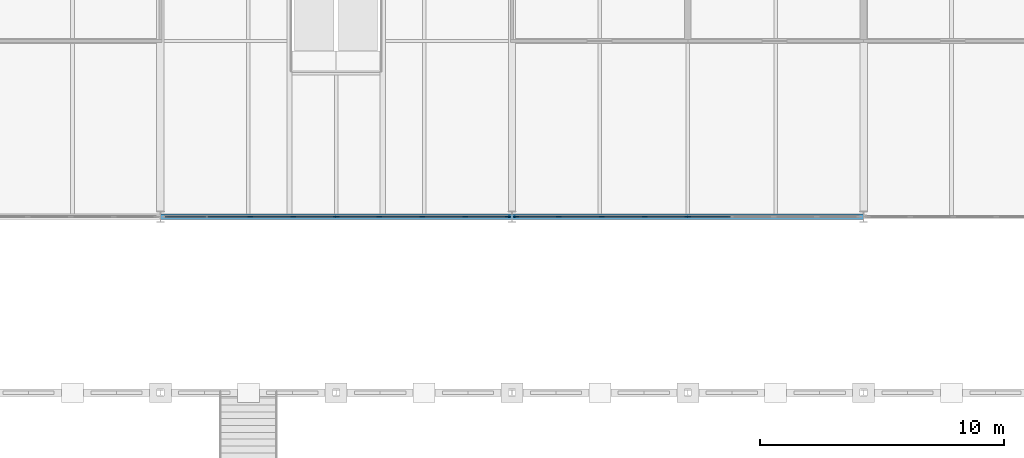
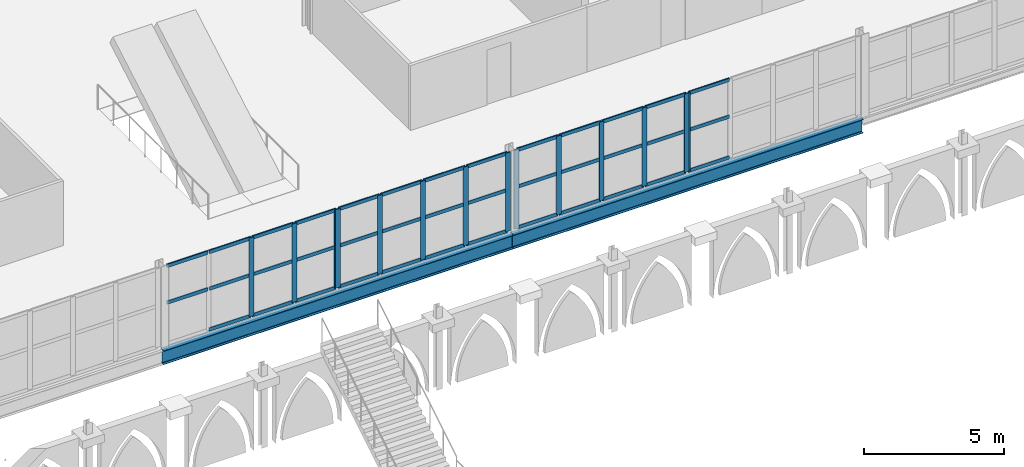
# One storey, part 28 of 90: 52 members, 2 beams, 4 elements without a shape of their own.
"""IFC4 building model written with IfcOpenShell, lengths in metres."""

import ifcopenshell
import ifcopenshell.guid

model = None  # the IFC model being written
_history = None  # IfcOwnerHistory: only IFC2X3 demands one
_inside = {}  # id of a spatial element -> (the spatial element, [elements in it])
_under = {}  # id of a project, library or spatial element -> (it, [spatial elements below it])
_declared = {}  # id of a project -> (the project, [libraries it declares])
_typed = {}  # id of a type object -> (the type object, [elements of that type])
_made_of = {}  # id of a material, layer set ... -> (it, [elements and type objects made of it])


def new_model(schema):
    """Start an empty IFC model of exactly this schema.

    Asked for "IFC4X3", IfcOpenShell would pick the latest addendum, in which some entities
    have other attributes; the version numbers below select the first issue.
    IFC2X3 requires an IfcOwnerHistory on every rooted entity: one is made here for all.
    """
    global model, _history
    if schema == "IFC4X3":
        model = ifcopenshell.file(schema_version=(4, 3, 0, 0))
    else:
        model = ifcopenshell.file(schema=schema)
    _inside.clear()
    _under.clear()
    _declared.clear()
    _typed.clear()
    _made_of.clear()
    _history = None
    if model.schema == "IFC2X3":
        org = make("IfcOrganization", Name="unknown")
        user = make(
            "IfcPersonAndOrganization",
            ThePerson=make("IfcPerson", FamilyName="unknown"),
            TheOrganization=org,
        )
        app = make(
            "IfcApplication",
            ApplicationDeveloper=org,
            Version="unknown",
            ApplicationFullName="unknown",
            ApplicationIdentifier="unknown",
        )
        _history = make(
            "IfcOwnerHistory",
            OwningUser=user,
            OwningApplication=app,
            ChangeAction="ADDED",
            CreationDate=0,
        )
    return model


def make(cls, **values):
    """One entity of the class cls with the attributes given. An attribute that is None is left unset."""
    return model.create_entity(
        cls, **{name: value for name, value in values.items() if value is not None}
    )


def rooted(cls, **values):
    """An entity with a GlobalId (a new one), such as an element, a storey or a relation."""
    return make(cls, GlobalId=ifcopenshell.guid.new(), OwnerHistory=_history, **values)


def si_unit(unit_type, name, prefix=None):
    """IfcSIUnit, for example si_unit("LENGTHUNIT", "METRE", prefix="MILLI")."""
    return make("IfcSIUnit", UnitType=unit_type, Prefix=prefix, Name=name)


def assignment(units):
    """IfcUnitAssignment: the units of a project."""
    return None if units is None else make("IfcUnitAssignment", Units=units)


def point(xyz):
    """IfcCartesianPoint."""
    return None if xyz is None else make("IfcCartesianPoint", Coordinates=xyz)


def direction(xyz):
    """IfcDirection."""
    return None if xyz is None else make("IfcDirection", DirectionRatios=xyz)


def frame(location, z_axis=None, x_axis=None):
    """IfcAxis2Placement3D, a coordinate frame: its origin and axes. An axis left out is left unset."""
    return make(
        "IfcAxis2Placement3D",
        Location=point(location),
        Axis=direction(z_axis),
        RefDirection=direction(x_axis),
    )


def frame_2d(location, x_axis=None):
    """IfcAxis2Placement2D, a coordinate frame in the plane: its origin and x axis."""
    return make(
        "IfcAxis2Placement2D", Location=point(location), RefDirection=direction(x_axis)
    )


def origin():
    """The frame at (0, 0, 0) with its axes left unset."""
    return frame((0.0, 0.0, 0.0))


def origin_2d():
    """The frame at (0, 0) in the plane with its x axis left unset."""
    return frame_2d((0.0, 0.0))


def place(relative_to, where):
    """IfcLocalPlacement: puts the frame where relative to a parent placement (None: the world)."""
    return make(
        "IfcLocalPlacement", PlacementRelTo=relative_to, RelativePlacement=where
    )


def context(
    kind, dimensions, precision=None, world=None, true_north=None, identifier=None
):
    """IfcGeometricRepresentationContext, for example the 3D "Model" context."""
    return make(
        "IfcGeometricRepresentationContext",
        ContextIdentifier=identifier,
        ContextType=kind,
        CoordinateSpaceDimension=dimensions,
        Precision=precision,
        WorldCoordinateSystem=world,
        TrueNorth=true_north,
    )


def subcontext(parent, identifier, kind, view, scale=None):
    """IfcGeometricRepresentationSubContext, for example "Body" below "Model"."""
    return make(
        "IfcGeometricRepresentationSubContext",
        ContextIdentifier=identifier,
        ContextType=kind,
        ParentContext=parent,
        TargetScale=scale,
        TargetView=view,
    )


def project(units=None, contexts=None):
    """IfcProject with its units and contexts."""
    return rooted(
        "IfcProject",
        Name="project",
        RepresentationContexts=contexts,
        UnitsInContext=assignment(units),
    )


def spatial(cls, under=None, at=None, **own):
    """A site, building, storey or space (cls), placed at a placement, below another one or the project."""
    s = rooted(cls, ObjectPlacement=at, **own)
    if under is not None:
        _under.setdefault(under.id(), (under, []))[1].append(s)
    return s


def profile(cls, at=None, kind="AREA", **sizes):
    """A parametric profile (cls). Its sizes go by their IFC names, for example OverallWidth=200.0."""
    return make(cls, ProfileType=kind, Position=at, **sizes)


def rectangle(**sizes):
    """IfcRectangleProfileDef."""
    return profile("IfcRectangleProfileDef", **sizes)


def i_section(**sizes):
    """IfcIShapeProfileDef."""
    return profile("IfcIShapeProfileDef", **sizes)


def extrude(swept, where, along, depth):
    """IfcExtrudedAreaSolid: the profile swept, set in the frame where, extruded along a direction by depth."""
    return make(
        "IfcExtrudedAreaSolid",
        SweptArea=swept,
        Position=where,
        ExtrudedDirection=direction(along),
        Depth=depth,
    )


def shape(context_of_items, identifier, shape_type, items):
    """IfcShapeRepresentation: the items that make up one representation, for example the "Body"."""
    return make(
        "IfcShapeRepresentation",
        ContextOfItems=context_of_items,
        RepresentationIdentifier=identifier,
        RepresentationType=shape_type,
        Items=items,
    )


def material(Name=None, Category=None):
    """IfcMaterial."""
    return make("IfcMaterial", Name=Name, Category=Category)


def material_profile(
    of_material, cross_section, Name=None, Category=None, Priority=None
):
    """IfcMaterialProfile: a cross section and its material."""
    return make(
        "IfcMaterialProfile",
        Name=Name,
        Material=of_material,
        Profile=cross_section,
        Priority=Priority,
        Category=Category,
    )


def profile_set(profiles, Name=None, composite=None):
    """IfcMaterialProfileSet."""
    return make(
        "IfcMaterialProfileSet",
        Name=Name,
        MaterialProfiles=profiles,
        CompositeProfile=composite,
    )


def made_of(thing, what):
    """Note that an element or type object is made of a material, layer set ...; save() writes the relation."""
    if what is not None:
        _made_of.setdefault(what.id(), (what, []))[1].append(thing)
    return thing


def type_object(cls, material=None, **own):
    """A type object (cls), such as IfcWallType, which elements share."""
    return made_of(rooted(cls, **own), material)


def element(
    cls,
    number,
    at=None,
    inside=None,
    cuts=None,
    type_object=None,
    material=None,
    context=None,
    identifier="Body",
    shape_type=None,
    held_by="IfcProductDefinitionShape",
    body=None,
    shapes=None,
    **own,
):
    """One element of the class cls, such as IfcWall. Its Tag is "e" and its number.

    at: its placement. inside: the storey or other place that contains it. cuts: it is an
    opening in that element (IfcRelVoidsElement). A single representation is given by context,
    identifier, shape_type and body (its items); several are given by shapes. held_by: the class
    of the entity that holds the representations. save() writes the other relations.
    """
    e = rooted(cls, Tag="e%d" % number, ObjectPlacement=at, **own)
    if body is not None:
        shapes = [shape(context, identifier, shape_type, body)]
    if shapes is not None:
        e.Representation = make(held_by, Representations=shapes)
    if inside is not None:
        _inside.setdefault(inside.id(), (inside, []))[1].append(e)
    if cuts is not None:
        rooted(
            "IfcRelVoidsElement", RelatingBuildingElement=cuts, RelatedOpeningElement=e
        )
    if type_object is not None:
        _typed.setdefault(type_object.id(), (type_object, []))[1].append(e)
    return made_of(e, material)


def aggregate(whole, parts):
    """IfcRelAggregates: a whole, such as a stair, and the parts it consists of."""
    return rooted("IfcRelAggregates", RelatingObject=whole, RelatedObjects=parts)


def save(model, path):
    """Write the relations noted so far, then the file.

    IfcRelAggregates (storeys below a building ...), IfcRelContainedInSpatialStructure (elements
    in a storey), IfcRelDefinesByType, IfcRelAssociatesMaterial and IfcRelDeclares: one each for
    every whole, place, type object, material and project.
    """
    for whole, parts in _under.values():
        aggregate(whole, parts)
    for where, things in _inside.values():
        rooted(
            "IfcRelContainedInSpatialStructure",
            RelatedElements=things,
            RelatingStructure=where,
        )
    for kind, things in _typed.values():
        rooted("IfcRelDefinesByType", RelatedObjects=things, RelatingType=kind)
    for what, things in _made_of.values():
        rooted("IfcRelAssociatesMaterial", RelatedObjects=things, RelatingMaterial=what)
    for by, libraries in _declared.values():
        rooted("IfcRelDeclares", RelatingContext=by, RelatedDefinitions=libraries)
    model.write(path)


model = new_model("IFC4")

# Units and contexts
model_context = context("Model", 3, precision=1e-05, world=origin(), true_north=direction((0.0, 1.0)))
body_context = subcontext(model_context, "Body", "Model", "MODEL_VIEW")
ifc_project = project(units=[si_unit("LENGTHUNIT", "METRE"), si_unit("AREAUNIT", "SQUARE_METRE"), si_unit("VOLUMEUNIT", "CUBIC_METRE"), si_unit("PLANEANGLEUNIT", "RADIAN"), si_unit("MASSUNIT", "GRAM", prefix="KILO")], contexts=[model_context])

# Site, building, storey
site_placement = place(None, origin())
site = spatial("IfcSite", under=ifc_project, at=site_placement, CompositionType="ELEMENT")
building_placement = place(site_placement, origin())
building = spatial("IfcBuilding", under=site, at=building_placement, Name="Kupolbacken Congress Centre", CompositionType="ELEMENT")
storey_placement = place(building_placement, frame((0.0, 0.0, 3.60009765625)))
storey = spatial("IfcBuildingStorey", under=building, at=storey_placement, Name="L01", CompositionType="ELEMENT", Elevation=3.60009765625)

# Beams
ifc_material_1 = material(Name="Steel S355", Category="steel")
ifc_material_profile_1 = material_profile(ifc_material_1, i_section(OverallWidth=0.219970703125, OverallDepth=0.60009765625, WebThickness=0.011962890625, FlangeThickness=0.01904296875, FilletRadius=0.02392578125, at=origin_2d()), Name="IPE 600")
ifc_profile_set_1 = profile_set([ifc_material_profile_1], Name="Steel S355")
beam_type = type_object("IfcBeamType", Name="B11 beam IPE 600", PredefinedType="BEAM", material=ifc_profile_set_1)
for number, where, z_axis, x_axis, name in (
    (1, (36.007080078125, 28.800048828125, -0.47998046875), (1.0, 0.0, 0.0), (0.0, 1.0, 0.0), "S/floor/F/L01/R017"),
    (2, (50.406982421875, 28.800048828125, -0.47998046875), (1.0, 0.0, 0.0), (0.0, 1.0, 0.0), "S/floor/F/L01/R018"),
):
    element("IfcBeam", number, at=place(storey_placement, frame(where, z_axis=z_axis, x_axis=x_axis)), inside=storey, type_object=beam_type, Name=name, PredefinedType="BEAM", context=body_context, shape_type="SweptSolid", body=[
        extrude(i_section(OverallWidth=0.219970703125, OverallDepth=0.60009765625, WebThickness=0.011962890625, FlangeThickness=0.01904296875, FilletRadius=0.02392578125, at=origin_2d()), origin(), (0.0, 0.0, 1.0), 14.385986328125),
    ])

# Curtain wall, members
ifc_material_2 = material(Name="Aluminium mullion-transom frame with glass", Category="aluminium")
curtain_wall_type = type_object("IfcCurtainWallType", Name="CW1 curtain wall 7200x3600", PredefinedType="NOTDEFINED", material=ifc_material_2)
curtain_wall_1_placement = place(storey_placement, origin())
curtain_wall_1 = element("IfcCurtainWall", 3, at=curtain_wall_1_placement, inside=storey, type_object=curtain_wall_type, Name="E/F/S/L01/140", PredefinedType="NOTDEFINED")
ifc_material_3 = material(Name="Aluminium alloy", Category="aluminium")
ifc_material_profile_2 = material_profile(ifc_material_3, rectangle(XDim=0.050048828125, YDim=0.199951171875, at=origin_2d()), Name="50 x 200")
ifc_profile_set_2 = profile_set([ifc_material_profile_2], Name="Aluminium alloy")
member_type_1 = type_object("IfcMemberType", Name="MU2 mullion 50x200", PredefinedType="MULLION", material=ifc_profile_set_2)
member_1_placement = place(storey_placement, frame((39.675048828125, 28.800048828125, 0.0), z_axis=(0.0, 0.0, 1.0), x_axis=(0.0, 1.0, 0.0)))
member_1 = element("IfcMember", 4, at=member_1_placement, type_object=member_type_1, Name="CW1 mullion 3", PredefinedType="MULLION", context=body_context, shape_type="SweptSolid", body=[
    extrude(rectangle(XDim=0.050048828125, YDim=0.199951171875, at=origin_2d()), origin(), (0.0, 0.0, 1.0), 3.419921875),
])
member_2_placement = place(storey_placement, frame((41.4375, 28.800048828125, 0.0), z_axis=(0.0, 0.0, 1.0), x_axis=(0.0, 1.0, 0.0)))
member_2 = element("IfcMember", 5, at=member_2_placement, type_object=member_type_1, Name="CW1 mullion 4", PredefinedType="MULLION", context=body_context, shape_type="SweptSolid", body=[
    extrude(rectangle(XDim=0.050048828125, YDim=0.199951171875, at=origin_2d()), origin(), (0.0, 0.0, 1.0), 3.419921875),
])
member_3_placement = place(storey_placement, frame((43.175048828125, 28.800048828125, 0.0), z_axis=(0.0, 0.0, 1.0), x_axis=(0.0, 1.0, 0.0)))
member_3 = element("IfcMember", 6, at=member_3_placement, type_object=member_type_1, Name="CW1 mullion 5", PredefinedType="MULLION", context=body_context, shape_type="SweptSolid", body=[
    extrude(rectangle(XDim=0.050048828125, YDim=0.199951171875, at=origin_2d()), origin(), (0.0, 0.0, 1.0), 3.419921875),
])

curtain_wall_2_placement = place(storey_placement, origin())
curtain_wall_2 = element("IfcCurtainWall", 7, at=curtain_wall_2_placement, inside=storey, type_object=curtain_wall_type, Name="E/F/S/L01/141", PredefinedType="NOTDEFINED")
member_4_placement = place(storey_placement, frame((43.22509765625, 28.800048828125, 0.0), z_axis=(0.0, 0.0, 1.0), x_axis=(0.0, 1.0, 0.0)))
member_4 = element("IfcMember", 8, at=member_4_placement, type_object=member_type_1, Name="CW1 mullion 1", PredefinedType="MULLION", context=body_context, shape_type="SweptSolid", body=[
    extrude(rectangle(XDim=0.050048828125, YDim=0.199951171875, at=origin_2d()), origin(), (0.0, 0.0, 1.0), 3.419921875),
])
member_5_placement = place(storey_placement, frame((44.96240234375, 28.800048828125, 0.0), z_axis=(0.0, 0.0, 1.0), x_axis=(0.0, 1.0, 0.0)))
member_5 = element("IfcMember", 9, at=member_5_placement, type_object=member_type_1, Name="CW1 mullion 2", PredefinedType="MULLION", context=body_context, shape_type="SweptSolid", body=[
    extrude(rectangle(XDim=0.050048828125, YDim=0.199951171875, at=origin_2d()), origin(), (0.0, 0.0, 1.0), 3.419921875),
])
member_6_placement = place(storey_placement, frame((46.72509765625, 28.800048828125, 0.0), z_axis=(0.0, 0.0, 1.0), x_axis=(0.0, 1.0, 0.0)))
member_6 = element("IfcMember", 10, at=member_6_placement, type_object=member_type_1, Name="CW1 mullion 3", PredefinedType="MULLION", context=body_context, shape_type="SweptSolid", body=[
    extrude(rectangle(XDim=0.050048828125, YDim=0.199951171875, at=origin_2d()), origin(), (0.0, 0.0, 1.0), 3.419921875),
])
member_7_placement = place(storey_placement, frame((48.487548828125, 28.800048828125, 0.0), z_axis=(0.0, 0.0, 1.0), x_axis=(0.0, 1.0, 0.0)))
member_7 = element("IfcMember", 11, at=member_7_placement, type_object=member_type_1, Name="CW1 mullion 4", PredefinedType="MULLION", context=body_context, shape_type="SweptSolid", body=[
    extrude(rectangle(XDim=0.050048828125, YDim=0.199951171875, at=origin_2d()), origin(), (0.0, 0.0, 1.0), 3.419921875),
])
member_8_placement = place(storey_placement, frame((50.22509765625, 28.800048828125, 0.0), z_axis=(0.0, 0.0, 1.0), x_axis=(0.0, 1.0, 0.0)))
member_8 = element("IfcMember", 12, at=member_8_placement, type_object=member_type_1, Name="CW1 mullion 5", PredefinedType="MULLION", context=body_context, shape_type="SweptSolid", body=[
    extrude(rectangle(XDim=0.050048828125, YDim=0.199951171875, at=origin_2d()), origin(), (0.0, 0.0, 1.0), 3.419921875),
])

curtain_wall_3_placement = place(storey_placement, origin())
curtain_wall_3 = element("IfcCurtainWall", 13, at=curtain_wall_3_placement, inside=storey, type_object=curtain_wall_type, Name="E/F/S/L01/142", PredefinedType="NOTDEFINED")
member_9_placement = place(storey_placement, frame((50.574951171875, 28.800048828125, 0.0), z_axis=(0.0, 0.0, 1.0), x_axis=(0.0, 1.0, 0.0)))
member_9 = element("IfcMember", 14, at=member_9_placement, type_object=member_type_1, Name="CW1 mullion 1", PredefinedType="MULLION", context=body_context, shape_type="SweptSolid", body=[
    extrude(rectangle(XDim=0.050048828125, YDim=0.199951171875, at=origin_2d()), origin(), (0.0, 0.0, 1.0), 3.419921875),
])
member_10_placement = place(storey_placement, frame((52.3125, 28.800048828125, 0.0), z_axis=(0.0, 0.0, 1.0), x_axis=(0.0, 1.0, 0.0)))
member_10 = element("IfcMember", 15, at=member_10_placement, type_object=member_type_1, Name="CW1 mullion 2", PredefinedType="MULLION", context=body_context, shape_type="SweptSolid", body=[
    extrude(rectangle(XDim=0.050048828125, YDim=0.199951171875, at=origin_2d()), origin(), (0.0, 0.0, 1.0), 3.419921875),
])
member_11_placement = place(storey_placement, frame((54.074951171875, 28.800048828125, 0.0), z_axis=(0.0, 0.0, 1.0), x_axis=(0.0, 1.0, 0.0)))
member_11 = element("IfcMember", 16, at=member_11_placement, type_object=member_type_1, Name="CW1 mullion 3", PredefinedType="MULLION", context=body_context, shape_type="SweptSolid", body=[
    extrude(rectangle(XDim=0.050048828125, YDim=0.199951171875, at=origin_2d()), origin(), (0.0, 0.0, 1.0), 3.419921875),
])
member_12_placement = place(storey_placement, frame((55.83740234375, 28.800048828125, 0.0), z_axis=(0.0, 0.0, 1.0), x_axis=(0.0, 1.0, 0.0)))
member_12 = element("IfcMember", 17, at=member_12_placement, type_object=member_type_1, Name="CW1 mullion 4", PredefinedType="MULLION", context=body_context, shape_type="SweptSolid", body=[
    extrude(rectangle(XDim=0.050048828125, YDim=0.199951171875, at=origin_2d()), origin(), (0.0, 0.0, 1.0), 3.419921875),
])
member_13_placement = place(storey_placement, frame((57.574951171875, 28.800048828125, 0.0), z_axis=(0.0, 0.0, 1.0), x_axis=(0.0, 1.0, 0.0)))
member_13 = element("IfcMember", 18, at=member_13_placement, type_object=member_type_1, Name="CW1 mullion 5", PredefinedType="MULLION", context=body_context, shape_type="SweptSolid", body=[
    extrude(rectangle(XDim=0.050048828125, YDim=0.199951171875, at=origin_2d()), origin(), (0.0, 0.0, 1.0), 3.419921875),
])

# Curtain wall, member
curtain_wall_4_placement = place(storey_placement, origin())
curtain_wall_4 = element("IfcCurtainWall", 19, at=curtain_wall_4_placement, inside=storey, type_object=curtain_wall_type, Name="E/F/S/L01/143", PredefinedType="NOTDEFINED")
member_14_placement = place(storey_placement, frame((57.625, 28.800048828125, 0.0), z_axis=(0.0, 0.0, 1.0), x_axis=(0.0, 1.0, 0.0)))
member_14 = element("IfcMember", 20, at=member_14_placement, type_object=member_type_1, Name="CW1 mullion 1", PredefinedType="MULLION", context=body_context, shape_type="SweptSolid", body=[
    extrude(rectangle(XDim=0.050048828125, YDim=0.199951171875, at=origin_2d()), origin(), (0.0, 0.0, 1.0), 3.419921875),
])

# Member
ifc_material_4 = material(Name="Aluminium alloy", Category="aluminium")
ifc_material_profile_3 = material_profile(ifc_material_4, rectangle(XDim=0.050048828125, YDim=0.14990234375, at=origin_2d()), Name="50 x 150")
ifc_profile_set_3 = profile_set([ifc_material_profile_3], Name="Aluminium alloy")
member_type_2 = type_object("IfcMemberType", Name="TR2 transom 50x150", PredefinedType="MULLION", material=ifc_profile_set_3)
member_15_placement = place(storey_placement, frame((36.199951171875, 28.800048828125, 1.7998046875), z_axis=(1.0, 0.0, 0.0), x_axis=(0.0, 1.0, 0.0)))
member_15 = element("IfcMember", 21, at=member_15_placement, type_object=member_type_2, Name="CW1 transom 1.2", PredefinedType="MULLION", context=body_context, shape_type="SweptSolid", body=[
    extrude(rectangle(XDim=0.050048828125, YDim=0.14990234375, at=origin_2d()), origin(), (0.0, 0.0, 1.0), 1.6875),
])

member_16_placement = place(storey_placement, frame((36.199951171875, 28.800048828125, 3.39501953125), z_axis=(1.0, 0.0, 0.0), x_axis=(0.0, 1.0, 0.0)))
member_16 = element("IfcMember", 22, at=member_16_placement, type_object=member_type_2, Name="CW1 transom 1.3", PredefinedType="MULLION", context=body_context, shape_type="SweptSolid", body=[
    extrude(rectangle(XDim=0.050048828125, YDim=0.14990234375, at=origin_2d()), origin(), (0.0, 0.0, 1.0), 1.6875),
])

member_17_placement = place(storey_placement, frame((37.9375, 28.800048828125, 0.02490234375), z_axis=(1.0, 0.0, 0.0), x_axis=(0.0, 1.0, 0.0)))
member_17 = element("IfcMember", 23, at=member_17_placement, type_object=member_type_2, Name="CW1 transom 2.1", PredefinedType="MULLION", context=body_context, shape_type="SweptSolid", body=[
    extrude(rectangle(XDim=0.050048828125, YDim=0.14990234375, at=origin_2d()), origin(), (0.0, 0.0, 1.0), 1.71240234375),
])

member_18_placement = place(storey_placement, frame((37.9375, 28.800048828125, 1.7998046875), z_axis=(1.0, 0.0, 0.0), x_axis=(0.0, 1.0, 0.0)))
member_18 = element("IfcMember", 24, at=member_18_placement, type_object=member_type_2, Name="CW1 transom 2.2", PredefinedType="MULLION", context=body_context, shape_type="SweptSolid", body=[
    extrude(rectangle(XDim=0.050048828125, YDim=0.14990234375, at=origin_2d()), origin(), (0.0, 0.0, 1.0), 1.71240234375),
])

member_19_placement = place(storey_placement, frame((37.9375, 28.800048828125, 3.39501953125), z_axis=(1.0, 0.0, 0.0), x_axis=(0.0, 1.0, 0.0)))
member_19 = element("IfcMember", 25, at=member_19_placement, type_object=member_type_2, Name="CW1 transom 2.3", PredefinedType="MULLION", context=body_context, shape_type="SweptSolid", body=[
    extrude(rectangle(XDim=0.050048828125, YDim=0.14990234375, at=origin_2d()), origin(), (0.0, 0.0, 1.0), 1.71240234375),
])

member_20_placement = place(storey_placement, frame((39.699951171875, 28.800048828125, 0.02490234375), z_axis=(1.0, 0.0, 0.0), x_axis=(0.0, 1.0, 0.0)))
member_20 = element("IfcMember", 26, at=member_20_placement, type_object=member_type_2, Name="CW1 transom 3.1", PredefinedType="MULLION", context=body_context, shape_type="SweptSolid", body=[
    extrude(rectangle(XDim=0.050048828125, YDim=0.14990234375, at=origin_2d()), origin(), (0.0, 0.0, 1.0), 1.712646484375),
])

member_21_placement = place(storey_placement, frame((39.699951171875, 28.800048828125, 1.7998046875), z_axis=(1.0, 0.0, 0.0), x_axis=(0.0, 1.0, 0.0)))
member_21 = element("IfcMember", 27, at=member_21_placement, type_object=member_type_2, Name="CW1 transom 3.2", PredefinedType="MULLION", context=body_context, shape_type="SweptSolid", body=[
    extrude(rectangle(XDim=0.050048828125, YDim=0.14990234375, at=origin_2d()), origin(), (0.0, 0.0, 1.0), 1.712646484375),
])

member_22_placement = place(storey_placement, frame((39.699951171875, 28.800048828125, 3.39501953125), z_axis=(1.0, 0.0, 0.0), x_axis=(0.0, 1.0, 0.0)))
member_22 = element("IfcMember", 28, at=member_22_placement, type_object=member_type_2, Name="CW1 transom 3.3", PredefinedType="MULLION", context=body_context, shape_type="SweptSolid", body=[
    extrude(rectangle(XDim=0.050048828125, YDim=0.14990234375, at=origin_2d()), origin(), (0.0, 0.0, 1.0), 1.712646484375),
])

member_23_placement = place(storey_placement, frame((41.46240234375, 28.800048828125, 0.02490234375), z_axis=(1.0, 0.0, 0.0), x_axis=(0.0, 1.0, 0.0)))
member_23 = element("IfcMember", 29, at=member_23_placement, type_object=member_type_2, Name="CW1 transom 4.1", PredefinedType="MULLION", context=body_context, shape_type="SweptSolid", body=[
    extrude(rectangle(XDim=0.050048828125, YDim=0.14990234375, at=origin_2d()), origin(), (0.0, 0.0, 1.0), 1.6875),
])

member_24_placement = place(storey_placement, frame((41.46240234375, 28.800048828125, 1.7998046875), z_axis=(1.0, 0.0, 0.0), x_axis=(0.0, 1.0, 0.0)))
member_24 = element("IfcMember", 30, at=member_24_placement, type_object=member_type_2, Name="CW1 transom 4.2", PredefinedType="MULLION", context=body_context, shape_type="SweptSolid", body=[
    extrude(rectangle(XDim=0.050048828125, YDim=0.14990234375, at=origin_2d()), origin(), (0.0, 0.0, 1.0), 1.6875),
])

member_25_placement = place(storey_placement, frame((41.46240234375, 28.800048828125, 3.39501953125), z_axis=(1.0, 0.0, 0.0), x_axis=(0.0, 1.0, 0.0)))
member_25 = element("IfcMember", 31, at=member_25_placement, type_object=member_type_2, Name="CW1 transom 4.3", PredefinedType="MULLION", context=body_context, shape_type="SweptSolid", body=[
    extrude(rectangle(XDim=0.050048828125, YDim=0.14990234375, at=origin_2d()), origin(), (0.0, 0.0, 1.0), 1.6875),
])

aggregate(curtain_wall_1, [member_1, member_2, member_3, member_15, member_16, member_17, member_18, member_19, member_20, member_21, member_22, member_23, member_24, member_25])

member_26_placement = place(storey_placement, frame((43.25, 28.800048828125, 0.02490234375), z_axis=(1.0, 0.0, 0.0), x_axis=(0.0, 1.0, 0.0)))
member_26 = element("IfcMember", 32, at=member_26_placement, type_object=member_type_2, Name="CW1 transom 1.1", PredefinedType="MULLION", context=body_context, shape_type="SweptSolid", body=[
    extrude(rectangle(XDim=0.050048828125, YDim=0.14990234375, at=origin_2d()), origin(), (0.0, 0.0, 1.0), 1.6875),
])

member_27_placement = place(storey_placement, frame((43.25, 28.800048828125, 1.7998046875), z_axis=(1.0, 0.0, 0.0), x_axis=(0.0, 1.0, 0.0)))
member_27 = element("IfcMember", 33, at=member_27_placement, type_object=member_type_2, Name="CW1 transom 1.2", PredefinedType="MULLION", context=body_context, shape_type="SweptSolid", body=[
    extrude(rectangle(XDim=0.050048828125, YDim=0.14990234375, at=origin_2d()), origin(), (0.0, 0.0, 1.0), 1.6875),
])

member_28_placement = place(storey_placement, frame((43.25, 28.800048828125, 3.39501953125), z_axis=(1.0, 0.0, 0.0), x_axis=(0.0, 1.0, 0.0)))
member_28 = element("IfcMember", 34, at=member_28_placement, type_object=member_type_2, Name="CW1 transom 1.3", PredefinedType="MULLION", context=body_context, shape_type="SweptSolid", body=[
    extrude(rectangle(XDim=0.050048828125, YDim=0.14990234375, at=origin_2d()), origin(), (0.0, 0.0, 1.0), 1.6875),
])

member_29_placement = place(storey_placement, frame((44.987548828125, 28.800048828125, 0.02490234375), z_axis=(1.0, 0.0, 0.0), x_axis=(0.0, 1.0, 0.0)))
member_29 = element("IfcMember", 35, at=member_29_placement, type_object=member_type_2, Name="CW1 transom 2.1", PredefinedType="MULLION", context=body_context, shape_type="SweptSolid", body=[
    extrude(rectangle(XDim=0.050048828125, YDim=0.14990234375, at=origin_2d()), origin(), (0.0, 0.0, 1.0), 1.71240234375),
])

member_30_placement = place(storey_placement, frame((44.987548828125, 28.800048828125, 1.7998046875), z_axis=(1.0, 0.0, 0.0), x_axis=(0.0, 1.0, 0.0)))
member_30 = element("IfcMember", 36, at=member_30_placement, type_object=member_type_2, Name="CW1 transom 2.2", PredefinedType="MULLION", context=body_context, shape_type="SweptSolid", body=[
    extrude(rectangle(XDim=0.050048828125, YDim=0.14990234375, at=origin_2d()), origin(), (0.0, 0.0, 1.0), 1.71240234375),
])

member_31_placement = place(storey_placement, frame((44.987548828125, 28.800048828125, 3.39501953125), z_axis=(1.0, 0.0, 0.0), x_axis=(0.0, 1.0, 0.0)))
member_31 = element("IfcMember", 37, at=member_31_placement, type_object=member_type_2, Name="CW1 transom 2.3", PredefinedType="MULLION", context=body_context, shape_type="SweptSolid", body=[
    extrude(rectangle(XDim=0.050048828125, YDim=0.14990234375, at=origin_2d()), origin(), (0.0, 0.0, 1.0), 1.71240234375),
])

member_32_placement = place(storey_placement, frame((46.75, 28.800048828125, 0.02490234375), z_axis=(1.0, 0.0, 0.0), x_axis=(0.0, 1.0, 0.0)))
member_32 = element("IfcMember", 38, at=member_32_placement, type_object=member_type_2, Name="CW1 transom 3.1", PredefinedType="MULLION", context=body_context, shape_type="SweptSolid", body=[
    extrude(rectangle(XDim=0.050048828125, YDim=0.14990234375, at=origin_2d()), origin(), (0.0, 0.0, 1.0), 1.71240234375),
])

member_33_placement = place(storey_placement, frame((46.75, 28.800048828125, 1.7998046875), z_axis=(1.0, 0.0, 0.0), x_axis=(0.0, 1.0, 0.0)))
member_33 = element("IfcMember", 39, at=member_33_placement, type_object=member_type_2, Name="CW1 transom 3.2", PredefinedType="MULLION", context=body_context, shape_type="SweptSolid", body=[
    extrude(rectangle(XDim=0.050048828125, YDim=0.14990234375, at=origin_2d()), origin(), (0.0, 0.0, 1.0), 1.71240234375),
])

member_34_placement = place(storey_placement, frame((46.75, 28.800048828125, 3.39501953125), z_axis=(1.0, 0.0, 0.0), x_axis=(0.0, 1.0, 0.0)))
member_34 = element("IfcMember", 40, at=member_34_placement, type_object=member_type_2, Name="CW1 transom 3.3", PredefinedType="MULLION", context=body_context, shape_type="SweptSolid", body=[
    extrude(rectangle(XDim=0.050048828125, YDim=0.14990234375, at=origin_2d()), origin(), (0.0, 0.0, 1.0), 1.71240234375),
])

member_35_placement = place(storey_placement, frame((48.512451171875, 28.800048828125, 0.02490234375), z_axis=(1.0, 0.0, 0.0), x_axis=(0.0, 1.0, 0.0)))
member_35 = element("IfcMember", 41, at=member_35_placement, type_object=member_type_2, Name="CW1 transom 4.1", PredefinedType="MULLION", context=body_context, shape_type="SweptSolid", body=[
    extrude(rectangle(XDim=0.050048828125, YDim=0.14990234375, at=origin_2d()), origin(), (0.0, 0.0, 1.0), 1.6875),
])

member_36_placement = place(storey_placement, frame((48.512451171875, 28.800048828125, 1.7998046875), z_axis=(1.0, 0.0, 0.0), x_axis=(0.0, 1.0, 0.0)))
member_36 = element("IfcMember", 42, at=member_36_placement, type_object=member_type_2, Name="CW1 transom 4.2", PredefinedType="MULLION", context=body_context, shape_type="SweptSolid", body=[
    extrude(rectangle(XDim=0.050048828125, YDim=0.14990234375, at=origin_2d()), origin(), (0.0, 0.0, 1.0), 1.6875),
])

member_37_placement = place(storey_placement, frame((48.512451171875, 28.800048828125, 3.39501953125), z_axis=(1.0, 0.0, 0.0), x_axis=(0.0, 1.0, 0.0)))
member_37 = element("IfcMember", 43, at=member_37_placement, type_object=member_type_2, Name="CW1 transom 4.3", PredefinedType="MULLION", context=body_context, shape_type="SweptSolid", body=[
    extrude(rectangle(XDim=0.050048828125, YDim=0.14990234375, at=origin_2d()), origin(), (0.0, 0.0, 1.0), 1.6875),
])

aggregate(curtain_wall_2, [member_4, member_5, member_6, member_7, member_8, member_26, member_27, member_28, member_29, member_30, member_31, member_32, member_33, member_34, member_35, member_36, member_37])

member_38_placement = place(storey_placement, frame((50.60009765625, 28.800048828125, 0.02490234375), z_axis=(1.0, 0.0, 0.0), x_axis=(0.0, 1.0, 0.0)))
member_38 = element("IfcMember", 44, at=member_38_placement, type_object=member_type_2, Name="CW1 transom 1.1", PredefinedType="MULLION", context=body_context, shape_type="SweptSolid", body=[
    extrude(rectangle(XDim=0.050048828125, YDim=0.14990234375, at=origin_2d()), origin(), (0.0, 0.0, 1.0), 1.6875),
])

member_39_placement = place(storey_placement, frame((50.60009765625, 28.800048828125, 1.7998046875), z_axis=(1.0, 0.0, 0.0), x_axis=(0.0, 1.0, 0.0)))
member_39 = element("IfcMember", 45, at=member_39_placement, type_object=member_type_2, Name="CW1 transom 1.2", PredefinedType="MULLION", context=body_context, shape_type="SweptSolid", body=[
    extrude(rectangle(XDim=0.050048828125, YDim=0.14990234375, at=origin_2d()), origin(), (0.0, 0.0, 1.0), 1.6875),
])

member_40_placement = place(storey_placement, frame((50.60009765625, 28.800048828125, 3.39501953125), z_axis=(1.0, 0.0, 0.0), x_axis=(0.0, 1.0, 0.0)))
member_40 = element("IfcMember", 46, at=member_40_placement, type_object=member_type_2, Name="CW1 transom 1.3", PredefinedType="MULLION", context=body_context, shape_type="SweptSolid", body=[
    extrude(rectangle(XDim=0.050048828125, YDim=0.14990234375, at=origin_2d()), origin(), (0.0, 0.0, 1.0), 1.6875),
])

member_41_placement = place(storey_placement, frame((52.33740234375, 28.800048828125, 0.02490234375), z_axis=(1.0, 0.0, 0.0), x_axis=(0.0, 1.0, 0.0)))
member_41 = element("IfcMember", 47, at=member_41_placement, type_object=member_type_2, Name="CW1 transom 2.1", PredefinedType="MULLION", context=body_context, shape_type="SweptSolid", body=[
    extrude(rectangle(XDim=0.050048828125, YDim=0.14990234375, at=origin_2d()), origin(), (0.0, 0.0, 1.0), 1.712646484375),
])

member_42_placement = place(storey_placement, frame((52.33740234375, 28.800048828125, 1.7998046875), z_axis=(1.0, 0.0, 0.0), x_axis=(0.0, 1.0, 0.0)))
member_42 = element("IfcMember", 48, at=member_42_placement, type_object=member_type_2, Name="CW1 transom 2.2", PredefinedType="MULLION", context=body_context, shape_type="SweptSolid", body=[
    extrude(rectangle(XDim=0.050048828125, YDim=0.14990234375, at=origin_2d()), origin(), (0.0, 0.0, 1.0), 1.712646484375),
])

member_43_placement = place(storey_placement, frame((52.33740234375, 28.800048828125, 3.39501953125), z_axis=(1.0, 0.0, 0.0), x_axis=(0.0, 1.0, 0.0)))
member_43 = element("IfcMember", 49, at=member_43_placement, type_object=member_type_2, Name="CW1 transom 2.3", PredefinedType="MULLION", context=body_context, shape_type="SweptSolid", body=[
    extrude(rectangle(XDim=0.050048828125, YDim=0.14990234375, at=origin_2d()), origin(), (0.0, 0.0, 1.0), 1.712646484375),
])

member_44_placement = place(storey_placement, frame((54.10009765625, 28.800048828125, 0.02490234375), z_axis=(1.0, 0.0, 0.0), x_axis=(0.0, 1.0, 0.0)))
member_44 = element("IfcMember", 50, at=member_44_placement, type_object=member_type_2, Name="CW1 transom 3.1", PredefinedType="MULLION", context=body_context, shape_type="SweptSolid", body=[
    extrude(rectangle(XDim=0.050048828125, YDim=0.14990234375, at=origin_2d()), origin(), (0.0, 0.0, 1.0), 1.71240234375),
])

member_45_placement = place(storey_placement, frame((54.10009765625, 28.800048828125, 1.7998046875), z_axis=(1.0, 0.0, 0.0), x_axis=(0.0, 1.0, 0.0)))
member_45 = element("IfcMember", 51, at=member_45_placement, type_object=member_type_2, Name="CW1 transom 3.2", PredefinedType="MULLION", context=body_context, shape_type="SweptSolid", body=[
    extrude(rectangle(XDim=0.050048828125, YDim=0.14990234375, at=origin_2d()), origin(), (0.0, 0.0, 1.0), 1.71240234375),
])

member_46_placement = place(storey_placement, frame((54.10009765625, 28.800048828125, 3.39501953125), z_axis=(1.0, 0.0, 0.0), x_axis=(0.0, 1.0, 0.0)))
member_46 = element("IfcMember", 52, at=member_46_placement, type_object=member_type_2, Name="CW1 transom 3.3", PredefinedType="MULLION", context=body_context, shape_type="SweptSolid", body=[
    extrude(rectangle(XDim=0.050048828125, YDim=0.14990234375, at=origin_2d()), origin(), (0.0, 0.0, 1.0), 1.71240234375),
])

member_47_placement = place(storey_placement, frame((55.862548828125, 28.800048828125, 0.02490234375), z_axis=(1.0, 0.0, 0.0), x_axis=(0.0, 1.0, 0.0)))
member_47 = element("IfcMember", 53, at=member_47_placement, type_object=member_type_2, Name="CW1 transom 4.1", PredefinedType="MULLION", context=body_context, shape_type="SweptSolid", body=[
    extrude(rectangle(XDim=0.050048828125, YDim=0.14990234375, at=origin_2d()), origin(), (0.0, 0.0, 1.0), 1.6875),
])

member_48_placement = place(storey_placement, frame((55.862548828125, 28.800048828125, 1.7998046875), z_axis=(1.0, 0.0, 0.0), x_axis=(0.0, 1.0, 0.0)))
member_48 = element("IfcMember", 54, at=member_48_placement, type_object=member_type_2, Name="CW1 transom 4.2", PredefinedType="MULLION", context=body_context, shape_type="SweptSolid", body=[
    extrude(rectangle(XDim=0.050048828125, YDim=0.14990234375, at=origin_2d()), origin(), (0.0, 0.0, 1.0), 1.6875),
])

member_49_placement = place(storey_placement, frame((55.862548828125, 28.800048828125, 3.39501953125), z_axis=(1.0, 0.0, 0.0), x_axis=(0.0, 1.0, 0.0)))
member_49 = element("IfcMember", 55, at=member_49_placement, type_object=member_type_2, Name="CW1 transom 4.3", PredefinedType="MULLION", context=body_context, shape_type="SweptSolid", body=[
    extrude(rectangle(XDim=0.050048828125, YDim=0.14990234375, at=origin_2d()), origin(), (0.0, 0.0, 1.0), 1.6875),
])

aggregate(curtain_wall_3, [member_9, member_10, member_11, member_12, member_13, member_38, member_39, member_40, member_41, member_42, member_43, member_44, member_45, member_46, member_47, member_48, member_49])

member_50_placement = place(storey_placement, frame((57.64990234375, 28.800048828125, 0.02490234375), z_axis=(1.0, 0.0, 0.0), x_axis=(0.0, 1.0, 0.0)))
member_50 = element("IfcMember", 56, at=member_50_placement, type_object=member_type_2, Name="CW1 transom 1.1", PredefinedType="MULLION", context=body_context, shape_type="SweptSolid", body=[
    extrude(rectangle(XDim=0.050048828125, YDim=0.14990234375, at=origin_2d()), origin(), (0.0, 0.0, 1.0), 1.6875),
])

member_51_placement = place(storey_placement, frame((57.64990234375, 28.800048828125, 1.7998046875), z_axis=(1.0, 0.0, 0.0), x_axis=(0.0, 1.0, 0.0)))
member_51 = element("IfcMember", 57, at=member_51_placement, type_object=member_type_2, Name="CW1 transom 1.2", PredefinedType="MULLION", context=body_context, shape_type="SweptSolid", body=[
    extrude(rectangle(XDim=0.050048828125, YDim=0.14990234375, at=origin_2d()), origin(), (0.0, 0.0, 1.0), 1.6875),
])

member_52_placement = place(storey_placement, frame((57.64990234375, 28.800048828125, 3.39501953125), z_axis=(1.0, 0.0, 0.0), x_axis=(0.0, 1.0, 0.0)))
member_52 = element("IfcMember", 58, at=member_52_placement, type_object=member_type_2, Name="CW1 transom 1.3", PredefinedType="MULLION", context=body_context, shape_type="SweptSolid", body=[
    extrude(rectangle(XDim=0.050048828125, YDim=0.14990234375, at=origin_2d()), origin(), (0.0, 0.0, 1.0), 1.6875),
])

aggregate(curtain_wall_4, [member_14, member_50, member_51, member_52])

save(model, "model.ifc")
